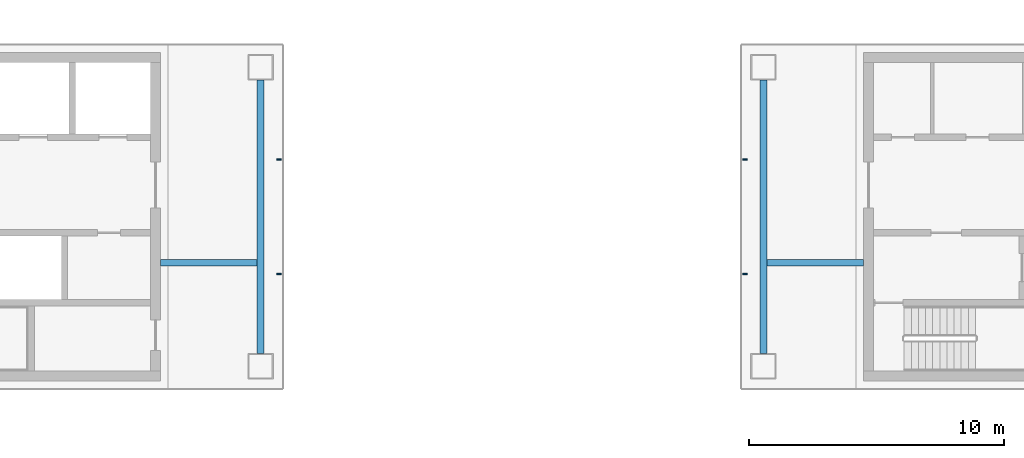
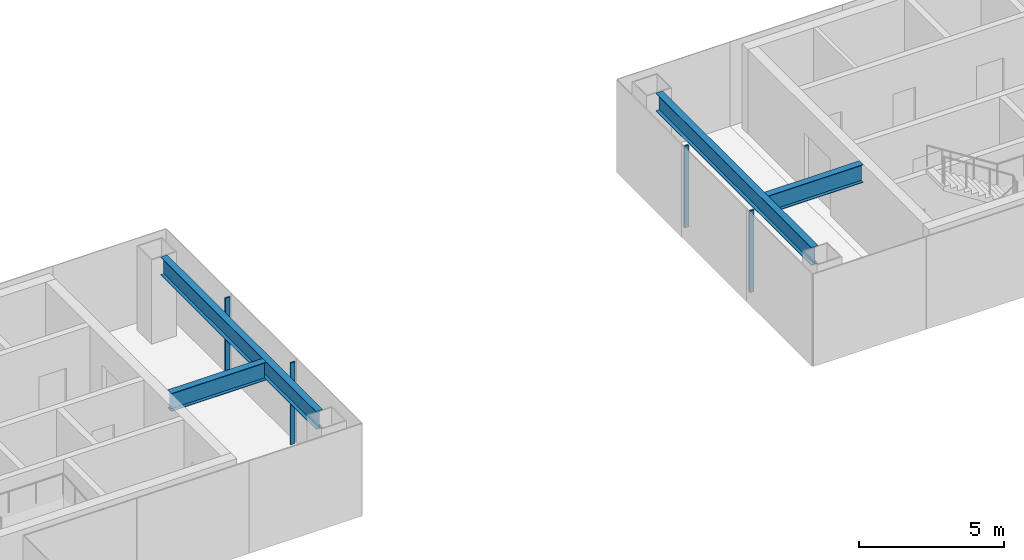
# One storey, part 4 of 15: 4 beams, 4 members, 2 elements without a shape of their own.
"""IFC4 building model written with IfcOpenShell, lengths in metres."""

from ifc_helpers import new_model, si_unit, direction, frame, origin, origin_2d, place, context, subcontext, project, spatial, rectangle, i_section, extrude, material, layer, layer_set, material_profile, profile_set, type_object, element, aggregate, save


model = new_model("IFC4")

# Units and contexts
model_context = context("Model", 3, precision=1e-05, world=origin(), true_north=direction((0.0, 1.0)))
body_context = subcontext(model_context, "Body", "Model", "MODEL_VIEW")
ifc_project = project(units=[si_unit("LENGTHUNIT", "METRE"), si_unit("AREAUNIT", "SQUARE_METRE"), si_unit("VOLUMEUNIT", "CUBIC_METRE"), si_unit("PLANEANGLEUNIT", "RADIAN"), si_unit("MASSUNIT", "GRAM", prefix="KILO")], contexts=[model_context])

# Site, building, storey
site_placement = place(None, origin())
site = spatial("IfcSite", under=ifc_project, at=site_placement, CompositionType="ELEMENT")
building_placement = place(site_placement, origin())
building = spatial("IfcBuilding", under=site, at=building_placement, Name="Shamsa Quay Exchange Towers", CompositionType="ELEMENT")
storey_placement = place(building_placement, frame((0.0, 0.0, 206.10009765625)))
storey = spatial("IfcBuildingStorey", under=building, at=storey_placement, Name="L49", CompositionType="ELEMENT", Elevation=206.10009765625)

# Curtain wall, members
ifc_material_1 = material(Name="Aluminium EN AW-6063 T6, black anodised", Category="aluminium")
ifc_layer = layer(ifc_material_1, 0.280029296875)
ifc_layer_set = layer_set([ifc_layer], Name="CW-1 UNITISED VISION GLASS")
curtain_wall_type = type_object("IfcCurtainWallType", Name="CW-1 UNITISED VISION GLASS", PredefinedType="NOTDEFINED", material=ifc_layer_set)
curtain_wall_1_placement = place(storey_placement, origin())
curtain_wall_1 = element("IfcCurtainWall", 1, at=curtain_wall_1_placement, inside=storey, type_object=curtain_wall_type, Name="CW1 T1-END-U+ L49", PredefinedType="NOTDEFINED")
ifc_material_profile_1 = material_profile(ifc_material_1, rectangle(XDim=0.179931640625, YDim=0.06005859375, at=origin_2d()), Name="MU60x180")
ifc_profile_set_1 = profile_set([ifc_material_profile_1], Name="Aluminium EN AW-6063 T6, black anodised")
member_type = type_object("IfcMemberType", Name="CW1 MULLION 60x180", PredefinedType="MULLION", material=ifc_profile_set_1)
member_1_placement = place(storey_placement, frame((-9.14990234375, -2.25, 0.0), z_axis=(0.0, 0.0, 1.0), x_axis=(-1.0, 0.0, 0.0)))
member_1 = element("IfcMember", 2, at=member_1_placement, type_object=member_type, Name="CW1 mullion", PredefinedType="MULLION", context=body_context, shape_type="SweptSolid", body=[
    extrude(rectangle(XDim=0.179931640625, YDim=0.06005859375, at=origin_2d()), origin(), (0.0, 0.0, 1.0), 3.449951171875),
])
member_2_placement = place(storey_placement, frame((-9.14990234375, 2.25, 0.0), z_axis=(0.0, 0.0, 1.0), x_axis=(-1.0, 0.0, 0.0)))
member_2 = element("IfcMember", 3, at=member_2_placement, type_object=member_type, Name="CW1 mullion", PredefinedType="MULLION", context=body_context, shape_type="SweptSolid", body=[
    extrude(rectangle(XDim=0.179931640625, YDim=0.06005859375, at=origin_2d()), origin(), (0.0, 0.0, 1.0), 3.449951171875),
])
aggregate(curtain_wall_1, [member_1, member_2])

curtain_wall_2_placement = place(storey_placement, origin())
curtain_wall_2 = element("IfcCurtainWall", 4, at=curtain_wall_2_placement, inside=storey, type_object=curtain_wall_type, Name="CW1 T2-END-V+ L49", PredefinedType="NOTDEFINED")
member_3_placement = place(storey_placement, frame((9.14990234375, 2.25, 0.0)))
member_3 = element("IfcMember", 5, at=member_3_placement, type_object=member_type, Name="CW1 mullion", PredefinedType="MULLION", context=body_context, shape_type="SweptSolid", body=[
    extrude(rectangle(XDim=0.179931640625, YDim=0.06005859375, at=origin_2d()), origin(), (0.0, 0.0, 1.0), 3.449951171875),
])
member_4_placement = place(storey_placement, frame((9.14990234375, -2.25, 0.0)))
member_4 = element("IfcMember", 6, at=member_4_placement, type_object=member_type, Name="CW1 mullion", PredefinedType="MULLION", context=body_context, shape_type="SweptSolid", body=[
    extrude(rectangle(XDim=0.179931640625, YDim=0.06005859375, at=origin_2d()), origin(), (0.0, 0.0, 1.0), 3.449951171875),
])
aggregate(curtain_wall_2, [member_3, member_4])

# Beams
ifc_material_2 = material(Name="Steel S355", Category="steel")
ifc_material_profile_2 = material_profile(ifc_material_2, i_section(OverallWidth=0.26611328125, OverallDepth=0.7578125, WebThickness=0.013916015625, FlangeThickness=0.019287109375, at=origin_2d()), Name="W30x108")
ifc_profile_set_2 = profile_set([ifc_material_profile_2], Name="Steel S355")
beam_type = type_object("IfcBeamType", Name="End-zone beam W30x108", PredefinedType="BEAM", material=ifc_profile_set_2)
beam_1_placement = place(storey_placement, frame((-9.875, -5.375, 3.171142578125), z_axis=(0.0, 1.0, 0.0), x_axis=(-1.0, 0.0, 0.0)))
element("IfcBeam", 7, at=beam_1_placement, inside=storey, type_object=beam_type, Name="End beam T1 U+ end zone L49", PredefinedType="BEAM", context=body_context, shape_type="SweptSolid", body=[
    extrude(i_section(OverallWidth=0.26611328125, OverallDepth=0.7578125, WebThickness=0.013916015625, FlangeThickness=0.019287109375, at=origin_2d()), origin(), (0.0, 0.0, 1.0), 10.75),
])
beam_2_placement = place(storey_placement, frame((-13.800048828125, -1.800048828125, 3.171142578125), z_axis=(1.0, 0.0, 0.0), x_axis=(0.0, 1.0, 0.0)))
element("IfcBeam", 8, at=beam_2_placement, inside=storey, type_object=beam_type, Name="Spine beam T1 U+ end zone L49", PredefinedType="BEAM", context=body_context, shape_type="SweptSolid", body=[
    extrude(i_section(OverallWidth=0.26611328125, OverallDepth=0.7578125, WebThickness=0.013916015625, FlangeThickness=0.019287109375, at=origin_2d()), origin(), (0.0, 0.0, 1.0), 3.7919921875),
])
beam_3_placement = place(storey_placement, frame((9.875, -5.375, 3.171142578125), z_axis=(0.0, 1.0, 0.0), x_axis=(-1.0, 0.0, 0.0)))
element("IfcBeam", 9, at=beam_3_placement, inside=storey, type_object=beam_type, Name="End beam T2 V+ end zone L49", PredefinedType="BEAM", context=body_context, shape_type="SweptSolid", body=[
    extrude(i_section(OverallWidth=0.26611328125, OverallDepth=0.7578125, WebThickness=0.013916015625, FlangeThickness=0.019287109375, at=origin_2d()), origin(), (0.0, 0.0, 1.0), 10.75),
])
beam_4_placement = place(storey_placement, frame((13.800048828125, -1.800048828125, 3.171142578125), z_axis=(-1.0, 0.0, 0.0), x_axis=(0.0, -1.0, 0.0)))
element("IfcBeam", 10, at=beam_4_placement, inside=storey, type_object=beam_type, Name="Spine beam T2 V+ end zone L49", PredefinedType="BEAM", context=body_context, shape_type="SweptSolid", body=[
    extrude(i_section(OverallWidth=0.26611328125, OverallDepth=0.7578125, WebThickness=0.013916015625, FlangeThickness=0.019287109375, at=origin_2d()), origin(), (0.0, 0.0, 1.0), 3.7919921875),
])

save(model, "model.ifc")
